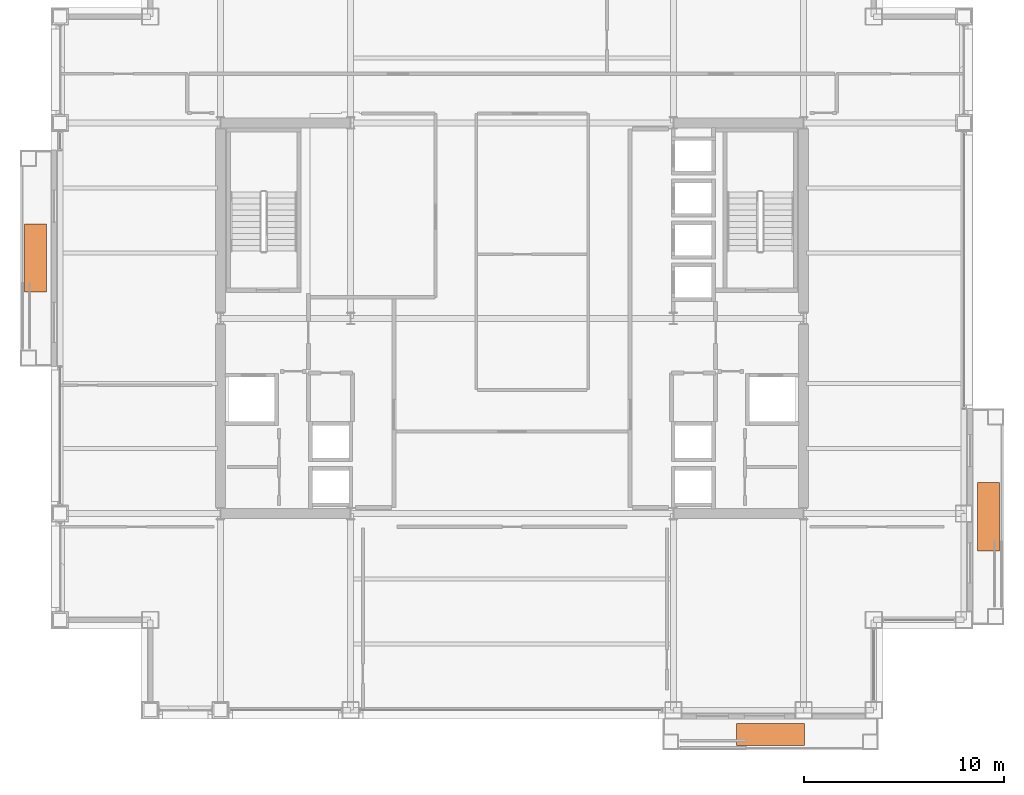
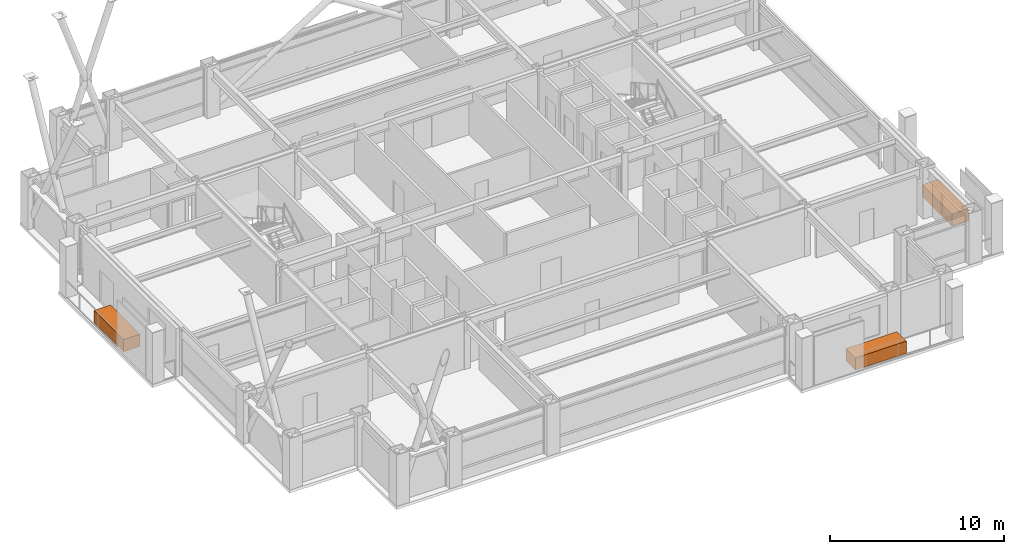
# One storey, part 34 of 34: 3 proxies.
"""IFC4 building model written with IfcOpenShell, lengths in metres."""

from ifc_helpers import new_model, si_unit, direction, frame, origin, origin_2d, place, context, subcontext, project, spatial, rectangle, extrude, material, type_object, element, save


model = new_model("IFC4")

# Units and contexts
model_context = context("Model", 3, precision=1e-05, world=origin(), true_north=direction((0.0, 1.0)))
body_context = subcontext(model_context, "Body", "Model", "MODEL_VIEW")
ifc_project = project(units=[si_unit("LENGTHUNIT", "METRE"), si_unit("AREAUNIT", "SQUARE_METRE"), si_unit("VOLUMEUNIT", "CUBIC_METRE"), si_unit("PLANEANGLEUNIT", "RADIAN"), si_unit("MASSUNIT", "GRAM", prefix="KILO")], contexts=[model_context])

# Site, building, storey
site_placement = place(None, origin())
site = spatial("IfcSite", under=ifc_project, at=site_placement, CompositionType="ELEMENT")
building_placement = place(site_placement, origin())
building = spatial("IfcBuilding", under=site, at=building_placement, Name="Brelmoor Portico Tower", CompositionType="ELEMENT")
storey_placement = place(building_placement, frame((0.0, 0.0, 99.0)))
storey = spatial("IfcBuildingStorey", under=building, at=storey_placement, Name="L25", CompositionType="ELEMENT", Elevation=99.0)

# Proxies
ifc_material = material(Name="Architectural Precast Concrete C40", Category="concrete")
building_element_proxy_type = type_object("IfcBuildingElementProxyType", Name="TREE PLANTER", PredefinedType="USERDEFINED", material=ifc_material)
for number, where, z_axis, x_axis, name in (
    (1, (12.89990234375, -20.77490234375, 0.0), (0.0, 0.0, 1.0), (1.0, 0.0, 0.0), "L25 Planted Tree Planter S"),
    (2, (23.77490234375, -9.89990234375, 0.0), (0.0, 0.0, 1.0), (0.0, 1.0, 0.0), "L25 Planted Tree Planter E"),
    (3, (-23.77490234375, 3.0, 0.0), (0.0, 0.0, 1.0), (0.0, 1.0, 0.0), "L25 Planted Tree Planter W"),
):
    element("IfcBuildingElementProxy", number, at=place(storey_placement, frame(where, z_axis=z_axis, x_axis=x_axis)), inside=storey, type_object=building_element_proxy_type, Name=name, ObjectType="PLANTER", PredefinedType="USERDEFINED", context=body_context, shape_type="SweptSolid", body=[
        extrude(rectangle(XDim=3.39990234375, YDim=1.10009765625, at=origin_2d()), origin(), (0.0, 0.0, 1.0), 0.85009765625),
    ])

save(model, "model.ifc")
